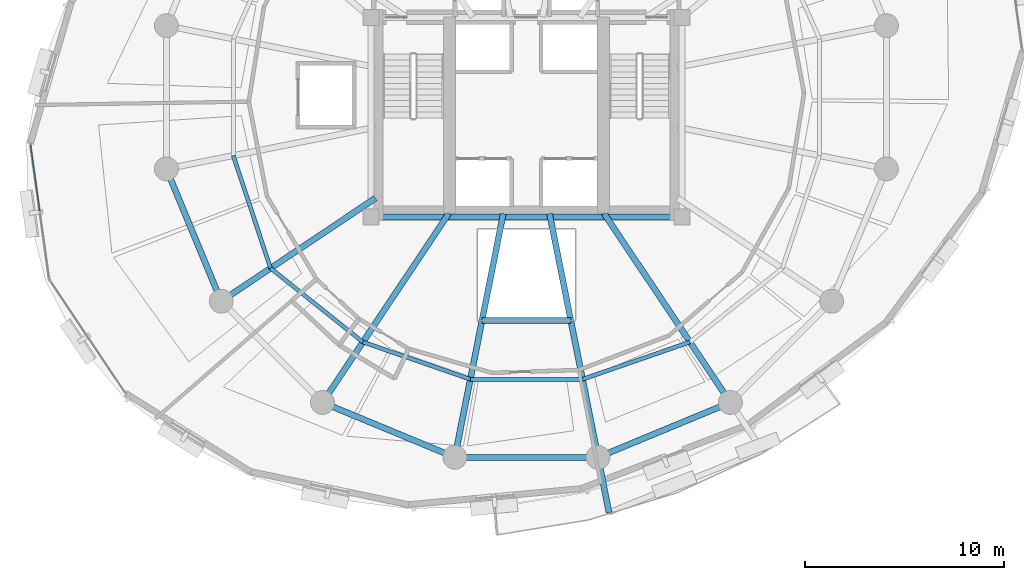
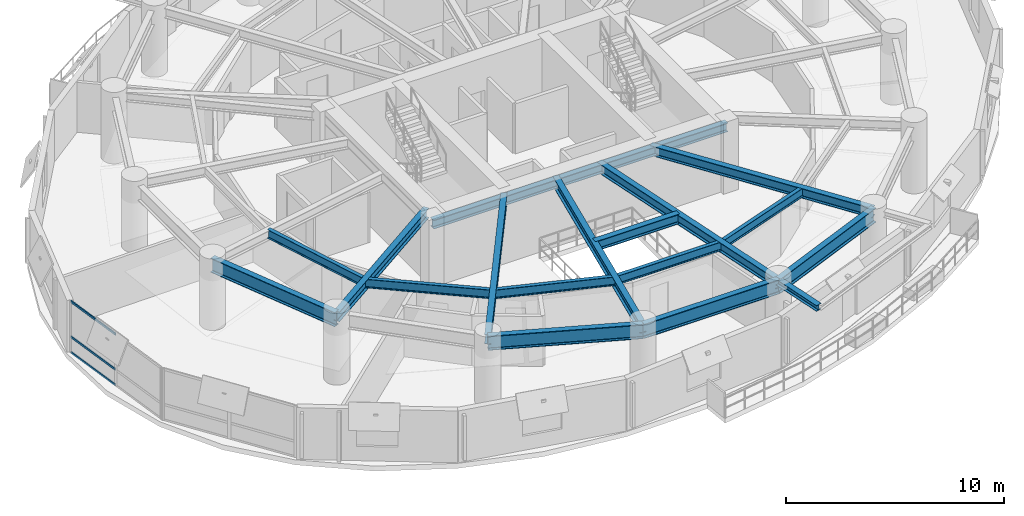
# One storey, part 3 of 15: 17 beams, 3 members, 1 element without a shape of its own.
"""IFC4 building model written with IfcOpenShell, lengths in metres."""

from ifc_helpers import new_model, si_unit, direction, frame, origin, origin_2d, place, context, subcontext, project, spatial, hollow_rectangle, i_section, extrude, material, layer, layer_set, material_profile, profile_set, type_object, element, aggregate, save


model = new_model("IFC4")

# Units and contexts
model_context = context("Model", 3, precision=1e-05, world=origin(), true_north=direction((0.0, 1.0)))
body_context = subcontext(model_context, "Body", "Model", "MODEL_VIEW")
ifc_project = project(units=[si_unit("LENGTHUNIT", "METRE"), si_unit("AREAUNIT", "SQUARE_METRE"), si_unit("VOLUMEUNIT", "CUBIC_METRE"), si_unit("PLANEANGLEUNIT", "RADIAN"), si_unit("MASSUNIT", "GRAM", prefix="KILO"), si_unit("THERMODYNAMICTEMPERATUREUNIT", "KELVIN"), si_unit("POWERUNIT", "WATT")], contexts=[model_context])

# Site, building, storey
site_placement = place(None, origin())
site = spatial("IfcSite", under=ifc_project, at=site_placement, CompositionType="ELEMENT")
building_placement = place(site_placement, origin())
building = spatial("IfcBuilding", under=site, at=building_placement, Name="Ocrelia Relay Tower", CompositionType="ELEMENT")
storey_placement = place(building_placement, frame((0.0, 0.0, 121.800048828125)))
storey = spatial("IfcBuildingStorey", under=building, at=storey_placement, Name="L28", CompositionType="ELEMENT", Elevation=121.800048828125)

# Beams
ifc_material_1 = material(Name="Steel S355", Category="steel")
ifc_material_profile_1 = material_profile(ifc_material_1, i_section(OverallWidth=0.300048828125, OverallDepth=0.330078125, WebThickness=0.009521484375, FlangeThickness=0.0166015625, FilletRadius=0.027099609375, at=origin_2d()), Name="HEA 340")
ifc_profile_set_1 = profile_set([ifc_material_profile_1], Name="Steel S355")
beam_type_1 = type_object("IfcBeamType", Name="BM-HEA340", PredefinedType="BEAM", material=ifc_profile_set_1)
beam_1_placement = place(storey_placement, frame((37.589599609375, 7.95361328125, 3.554931640625), z_axis=(0.19513507441, -0.980776377537, 0.0), x_axis=(0.980776377537, 0.19513507441, 0.0)))
element("IfcBeam", 1, at=beam_1_placement, inside=storey, type_object=beam_type_1, Name="L29 Balcony Cantilever Beam B2-1", PredefinedType="BEAM", context=body_context, shape_type="SweptSolid", body=[
    extrude(i_section(OverallWidth=0.300048828125, OverallDepth=0.330078125, WebThickness=0.009521484375, FlangeThickness=0.0166015625, FilletRadius=0.027099609375, at=origin_2d()), origin(), (0.0, 0.0, 1.0), 2.82373046875),
])
ifc_material_profile_2 = material_profile(ifc_material_1, i_section(OverallWidth=0.300048828125, OverallDepth=0.5, WebThickness=0.014404296875, FlangeThickness=0.028076171875, FilletRadius=0.027099609375, at=origin_2d()), Name="HEB 500")
ifc_profile_set_2 = profile_set([ifc_material_profile_2], Name="Steel S355")
beam_type_2 = type_object("IfcBeamType", Name="BM-HEB500", PredefinedType="BEAM", material=ifc_profile_set_2)
beam_2_placement = place(storey_placement, frame((26.199951171875, 20.0, 3.469970703125), z_axis=(1.0, 0.0, 0.0), x_axis=(0.0, 1.0, 0.0)))
element("IfcBeam", 2, at=beam_2_placement, inside=storey, type_object=beam_type_2, Name="L28 Core Pilaster Tie Beam S", PredefinedType="BEAM", context=body_context, shape_type="SweptSolid", body=[
    extrude(i_section(OverallWidth=0.300048828125, OverallDepth=0.5, WebThickness=0.014404296875, FlangeThickness=0.028076171875, FilletRadius=0.027099609375, at=origin_2d()), origin(), (0.0, 0.0, 1.0), 15.60009765625),
])
ifc_material_profile_3 = material_profile(ifc_material_1, i_section(OverallWidth=0.300048828125, OverallDepth=0.550048828125, WebThickness=0.014892578125, FlangeThickness=0.029052734375, FilletRadius=0.027099609375, at=origin_2d()), Name="HEB 550")
ifc_profile_set_3 = profile_set([ifc_material_profile_3], Name="Steel S355")
beam_type_3 = type_object("IfcBeamType", Name="BM-HEB550", PredefinedType="BEAM", material=ifc_profile_set_3)
beam_3_placement = place(storey_placement, frame((18.700927734375, 15.777587890625, 3.445068359375), z_axis=(0.831472030531, 0.555566613868, 0.0), x_axis=(-0.555566613868, 0.831472030531, 0.0)))
element("IfcBeam", 3, at=beam_3_placement, inside=storey, type_object=beam_type_3, Name="L28 Radial Floor Girder R10", PredefinedType="BEAM", context=body_context, shape_type="SweptSolid", body=[
    extrude(i_section(OverallWidth=0.300048828125, OverallDepth=0.550048828125, WebThickness=0.014892578125, FlangeThickness=0.029052734375, FilletRadius=0.027099609375, at=origin_2d()), origin(), (0.0, 0.0, 1.0), 9.295654296875),
])
beam_4_placement = place(storey_placement, frame((23.777587890625, 10.700927734375, 3.445068359375), z_axis=(0.555565661158, 0.831472667105, 0.0), x_axis=(-0.831472667105, 0.555565661158, 0.0)))
element("IfcBeam", 4, at=beam_4_placement, inside=storey, type_object=beam_type_3, Name="L28 Radial Floor Girder R11", PredefinedType="BEAM", context=body_context, shape_type="SweptSolid", body=[
    extrude(i_section(OverallWidth=0.300048828125, OverallDepth=0.550048828125, WebThickness=0.014892578125, FlangeThickness=0.029052734375, FilletRadius=0.027099609375, at=origin_2d()), origin(), (0.0, 0.0, 1.0), 11.38818359375),
])
for number, where, z_axis, x_axis, name in (
    (5, (30.410400390625, 7.95361328125, 3.445068359375), (0.195086983979, 0.980785944374, 0.0), (-0.980785944374, 0.195086983979, 0.0), "L28 Radial Floor Girder R12"),
    (6, (37.589599609375, 7.95361328125, 3.445068359375), (-0.195086983979, 0.980785944374, 0.0), (-0.980785944374, -0.195086983979, 0.0), "L28 Radial Floor Girder R13"),
):
    element("IfcBeam", number, at=place(storey_placement, frame(where, z_axis=z_axis, x_axis=x_axis)), inside=storey, type_object=beam_type_3, Name=name, PredefinedType="BEAM", context=body_context, shape_type="SweptSolid", body=[
        extrude(i_section(OverallWidth=0.300048828125, OverallDepth=0.550048828125, WebThickness=0.014892578125, FlangeThickness=0.029052734375, FilletRadius=0.027099609375, at=origin_2d()), origin(), (0.0, 0.0, 1.0), 12.45556640625),
    ])
beam_5_placement = place(storey_placement, frame((44.222412109375, 10.700927734375, 3.445068359375), z_axis=(-0.555565661158, 0.831472667105, 0.0), x_axis=(-0.831472667105, -0.555565661158, 0.0)))
element("IfcBeam", 7, at=beam_5_placement, inside=storey, type_object=beam_type_3, Name="L28 Radial Floor Girder R14", PredefinedType="BEAM", context=body_context, shape_type="SweptSolid", body=[
    extrude(i_section(OverallWidth=0.300048828125, OverallDepth=0.550048828125, WebThickness=0.014892578125, FlangeThickness=0.029052734375, FilletRadius=0.027099609375, at=origin_2d()), origin(), (0.0, 0.0, 1.0), 11.38818359375),
])
beam_6_placement = place(storey_placement, frame((31.772216796875, 14.800048828125, 3.445068359375), z_axis=(1.0, 0.0, 0.0), x_axis=(0.0, 1.0, 0.0)))
element("IfcBeam", 8, at=beam_6_placement, inside=storey, type_object=beam_type_3, Name="L28 Atrium South Trimmer Beam", PredefinedType="BEAM", context=body_context, shape_type="SweptSolid", body=[
    extrude(i_section(OverallWidth=0.300048828125, OverallDepth=0.550048828125, WebThickness=0.014892578125, FlangeThickness=0.029052734375, FilletRadius=0.027099609375, at=origin_2d()), origin(), (0.0, 0.0, 1.0), 4.45556640625),
])
ifc_material_profile_4 = material_profile(ifc_material_1, i_section(OverallWidth=0.300048828125, OverallDepth=0.800048828125, WebThickness=0.017578125, FlangeThickness=0.032958984375, FilletRadius=0.030029296875, at=origin_2d()), Name="HEB 800")
ifc_profile_set_4 = profile_set([ifc_material_profile_4], Name="Steel S355")
beam_type_4 = type_object("IfcBeamType", Name="BM-HEB800", PredefinedType="BEAM", material=ifc_profile_set_4)
for number, where, z_axis, x_axis, name in (
    (9, (15.95361328125, 22.410400390625, 3.320068359375), (0.382673155247, -0.923883789366, 0.0), (0.923883789366, 0.382673155247, 0.0), "L28 Perimeter Spandrel Beam S09"),
    (10, (23.777587890625, 10.700927734375, 3.320068359375), (0.923883789366, -0.382673155247, 0.0), (0.382673155247, 0.923883789366, 0.0), "L28 Perimeter Spandrel Beam S11"),
    (11, (30.410400390625, 7.95361328125, 3.320068359375), (1.0, 0.0, 0.0), (0.0, 1.0, 0.0), "L28 Perimeter Spandrel Beam S12"),
    (12, (37.589599609375, 7.95361328125, 3.320068359375), (0.923883789366, 0.382673155247, 0.0), (-0.382673155247, 0.923883789366, 0.0), "L28 Perimeter Spandrel Beam S13"),
):
    element("IfcBeam", number, at=place(storey_placement, frame(where, z_axis=z_axis, x_axis=x_axis)), inside=storey, type_object=beam_type_4, Name=name, PredefinedType="BEAM", context=body_context, shape_type="SweptSolid", body=[
        extrude(i_section(OverallWidth=0.300048828125, OverallDepth=0.800048828125, WebThickness=0.017578125, FlangeThickness=0.032958984375, FilletRadius=0.030029296875, at=origin_2d()), origin(), (0.0, 0.0, 1.0), 7.17919921875),
    ])
ifc_material_profile_5 = material_profile(ifc_material_1, i_section(OverallWidth=0.199951171875, OverallDepth=0.5, WebThickness=0.01025390625, FlangeThickness=0.01611328125, FilletRadius=0.02099609375, at=origin_2d()), Name="IPE 500")
ifc_profile_set_5 = profile_set([ifc_material_profile_5], Name="Steel S355")
beam_type_5 = type_object("IfcBeamType", Name="BM-IPE500", PredefinedType="JOIST", material=ifc_profile_set_5)
beam_7_placement = place(storey_placement, frame((19.305908203125, 23.0771484375, 3.469970703125), z_axis=(0.314121352003, -0.949382839647, 0.0), x_axis=(0.949382839647, 0.314121352003, 0.0)))
element("IfcBeam", 13, at=beam_7_placement, inside=storey, type_object=beam_type_5, Name="L28 Secondary Floor Joist J09", PredefinedType="JOIST", context=body_context, shape_type="SweptSolid", body=[
    extrude(i_section(OverallWidth=0.199951171875, OverallDepth=0.5, WebThickness=0.01025390625, FlangeThickness=0.01611328125, FilletRadius=0.02099609375, at=origin_2d()), origin(), (0.0, 0.0, 1.0), 5.947998046875),
])
beam_8_placement = place(storey_placement, frame((21.17431640625, 17.43017578125, 3.469970703125), z_axis=(0.781130070991, -0.62436833055, 0.0), x_axis=(0.62436833055, 0.781130070991, 0.0)))
element("IfcBeam", 14, at=beam_8_placement, inside=storey, type_object=beam_type_5, Name="L28 Secondary Floor Joist J10", PredefinedType="JOIST", context=body_context, shape_type="SweptSolid", body=[
    extrude(i_section(OverallWidth=0.199951171875, OverallDepth=0.5, WebThickness=0.01025390625, FlangeThickness=0.01611328125, FilletRadius=0.02099609375, at=origin_2d()), origin(), (0.0, 0.0, 1.0), 5.92431640625),
])
beam_9_placement = place(storey_placement, frame((25.802001953125, 13.731201171875, 3.469970703125), z_axis=(0.944767437111, -0.327741498401, 0.0), x_axis=(0.327741498401, 0.944767437111, 0.0)))
element("IfcBeam", 15, at=beam_9_placement, inside=storey, type_object=beam_type_5, Name="L28 Secondary Floor Joist J11", PredefinedType="JOIST", context=body_context, shape_type="SweptSolid", body=[
    extrude(i_section(OverallWidth=0.199951171875, OverallDepth=0.5, WebThickness=0.01025390625, FlangeThickness=0.01611328125, FilletRadius=0.02099609375, at=origin_2d()), origin(), (0.0, 0.0, 1.0), 5.700927734375),
])
beam_10_placement = place(storey_placement, frame((31.18798828125, 11.86279296875, 3.469970703125), z_axis=(1.0, 0.0, 0.0), x_axis=(0.0, 1.0, 0.0)))
element("IfcBeam", 16, at=beam_10_placement, inside=storey, type_object=beam_type_5, Name="L28 Secondary Floor Joist J12", PredefinedType="JOIST", context=body_context, shape_type="SweptSolid", body=[
    extrude(i_section(OverallWidth=0.199951171875, OverallDepth=0.5, WebThickness=0.01025390625, FlangeThickness=0.01611328125, FilletRadius=0.02099609375, at=origin_2d()), origin(), (0.0, 0.0, 1.0), 5.6240234375),
])
beam_11_placement = place(storey_placement, frame((36.81201171875, 11.86279296875, 3.469970703125), z_axis=(0.944767437111, 0.327741498401, 0.0), x_axis=(-0.327741498401, 0.944767437111, 0.0)))
element("IfcBeam", 17, at=beam_11_placement, inside=storey, type_object=beam_type_5, Name="L28 Secondary Floor Joist J13", PredefinedType="JOIST", context=body_context, shape_type="SweptSolid", body=[
    extrude(i_section(OverallWidth=0.199951171875, OverallDepth=0.5, WebThickness=0.01025390625, FlangeThickness=0.01611328125, FilletRadius=0.02099609375, at=origin_2d()), origin(), (0.0, 0.0, 1.0), 5.700927734375),
])

# Curtain wall, members
ifc_material_2 = material(Name="Aluminium and solar-control low-E glass", Category="aluminium")
ifc_layer = layer(ifc_material_2, 0.179931640625, Name="Aluminium and solar-control low-E glass")
ifc_layer_set = layer_set([ifc_layer], Name="Aluminium and solar-control low-E glass")
curtain_wall_type = type_object("IfcCurtainWallType", Name="CW-SYS-Z2-SWIT", PredefinedType="NOTDEFINED", material=ifc_layer_set)
curtain_wall_placement = place(storey_placement, origin())
curtain_wall = element("IfcCurtainWall", 18, at=curtain_wall_placement, inside=storey, type_object=curtain_wall_type, Name="L28 Elliptical Tower Curtain Wall Bay 09", PredefinedType="NOTDEFINED")
ifc_material_3 = material(Name="Anodised bronze aluminium", Category="aluminium")
ifc_material_profile_6 = material_profile(ifc_material_3, hollow_rectangle(XDim=0.06005859375, YDim=0.1201171875, WallThickness=0.0048828125, at=origin_2d()), Name="CW-TRN-120x60")
ifc_profile_set_6 = profile_set([ifc_material_profile_6], Name="Anodised bronze aluminium")
member_type = type_object("IfcMemberType", Name="CW-SYS-Z2-SWIT-TRN", PredefinedType="USERDEFINED", material=ifc_profile_set_6)
member_1_placement = place(storey_placement, frame((9.144775390625, 23.611572265625, 0.030029296875), z_axis=(0.138007305779, -0.990431210914, 0.0), x_axis=(0.990431210914, 0.138007305779, 0.0)))
member_1 = element("IfcMember", 19, at=member_1_placement, type_object=member_type, Name="CW-Z2 transom 1.1", ObjectType="TRANSOM", PredefinedType="USERDEFINED", context=body_context, shape_type="SweptSolid", body=[
    extrude(hollow_rectangle(XDim=0.06005859375, YDim=0.1201171875, WallThickness=0.0048828125, at=origin_2d()), origin(), (0.0, 0.0, 1.0), 3.334716796875),
])
member_2_placement = place(storey_placement, frame((9.144775390625, 23.611572265625, 0.89990234375), z_axis=(0.138007305779, -0.990431210914, 0.0), x_axis=(0.990431210914, 0.138007305779, 0.0)))
member_2 = element("IfcMember", 20, at=member_2_placement, type_object=member_type, Name="CW-Z2 transom 1.2", ObjectType="TRANSOM", PredefinedType="USERDEFINED", context=body_context, shape_type="SweptSolid", body=[
    extrude(hollow_rectangle(XDim=0.06005859375, YDim=0.1201171875, WallThickness=0.0048828125, at=origin_2d()), origin(), (0.0, 0.0, 1.0), 3.334716796875),
])
member_3_placement = place(storey_placement, frame((9.144775390625, 23.611572265625, 2.869873046875), z_axis=(0.138007305779, -0.990431210914, 0.0), x_axis=(0.990431210914, 0.138007305779, 0.0)))
member_3 = element("IfcMember", 21, at=member_3_placement, type_object=member_type, Name="CW-Z2 transom 1.3", ObjectType="TRANSOM", PredefinedType="USERDEFINED", context=body_context, shape_type="SweptSolid", body=[
    extrude(hollow_rectangle(XDim=0.06005859375, YDim=0.1201171875, WallThickness=0.0048828125, at=origin_2d()), origin(), (0.0, 0.0, 1.0), 3.334716796875),
])
aggregate(curtain_wall, [member_1, member_2, member_3])

save(model, "model.ifc")
